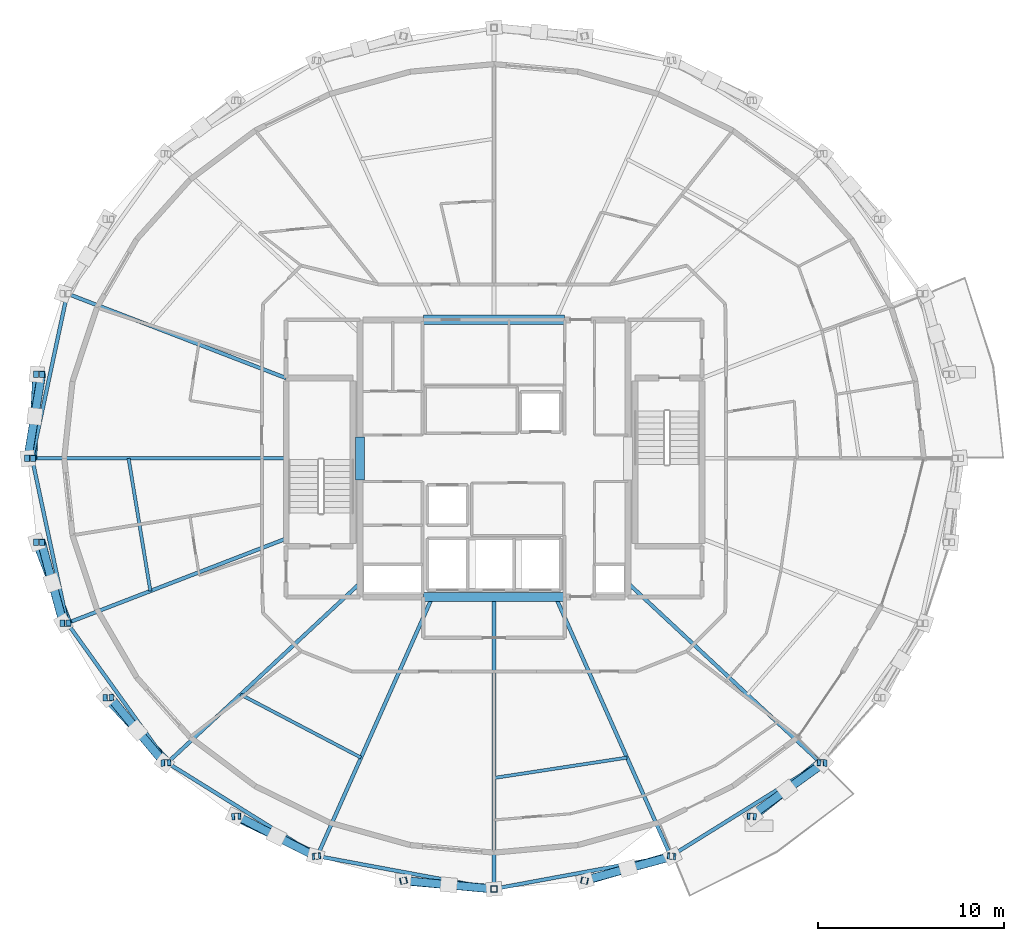
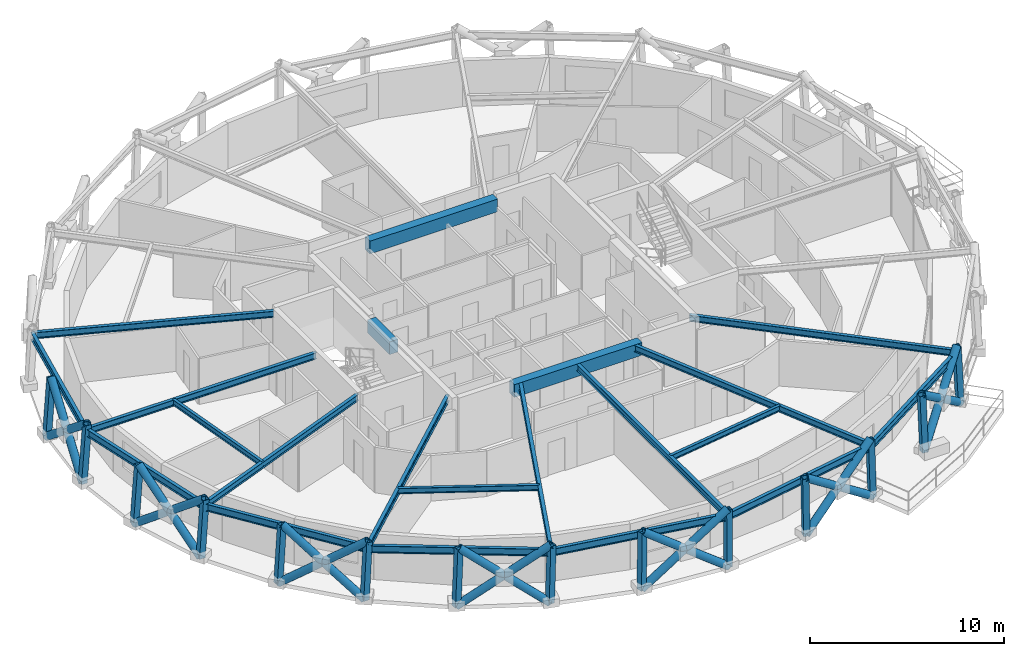
# One storey, part 1 of 12: 35 members, 21 beams.
"""IFC4 building model written with IfcOpenShell, lengths in metres."""

from ifc_helpers import new_model, si_unit, direction, frame, origin, origin_2d, place, context, subcontext, project, spatial, rectangle, hollow_rectangle, hollow_circle, i_section, extrude, material, material_profile, profile_set, type_object, element, save


model = new_model("IFC4")

# Units and contexts
model_context = context("Model", 3, precision=1e-05, world=origin(), true_north=direction((0.0, 1.0)))
body_context = subcontext(model_context, "Body", "Model", "MODEL_VIEW")
ifc_project = project(units=[si_unit("LENGTHUNIT", "METRE"), si_unit("AREAUNIT", "SQUARE_METRE"), si_unit("VOLUMEUNIT", "CUBIC_METRE"), si_unit("PLANEANGLEUNIT", "RADIAN"), si_unit("MASSUNIT", "GRAM", prefix="KILO")], contexts=[model_context])

# Site, building, storey
site_placement = place(None, origin())
site = spatial("IfcSite", under=ifc_project, at=site_placement, CompositionType="ELEMENT")
building_placement = place(site_placement, origin())
building = spatial("IfcBuilding", under=site, at=building_placement, Name="Veldorina Hangang Commons", CompositionType="ELEMENT")
storey_placement = place(building_placement, frame((0.0, 0.0, 222.0)))
storey = spatial("IfcBuildingStorey", under=building, at=storey_placement, Name="L57", CompositionType="ELEMENT", Elevation=222.0)

# Beams
ifc_material_1 = material(Name="Concrete C50/60", Category="concrete")
ifc_material_profile_1 = material_profile(ifc_material_1, rectangle(XDim=0.5, YDim=0.800048828125, at=origin_2d()), Name="RC-CB-500x800")
ifc_profile_set_1 = profile_set([ifc_material_profile_1], Name="Concrete C50/60")
beam_type_1 = type_object("IfcBeamType", Name="BM-CB800", PredefinedType="LINTEL", material=ifc_profile_set_1)
beam_1_placement = place(storey_placement, frame((24.800048828125, 22.85009765625, 2.9599609375), z_axis=(0.0, 1.0, 0.0), x_axis=(-1.0, 0.0, 0.0)))
element("IfcBeam", 1, at=beam_1_placement, inside=storey, type_object=beam_type_1, Name="L57 W core coupling lintel beam", PredefinedType="LINTEL", context=body_context, shape_type="SweptSolid", body=[
    extrude(rectangle(XDim=0.5, YDim=0.800048828125, at=origin_2d()), origin(), (0.0, 0.0, 1.0), 2.2998046875),
])
for number, where, z_axis, x_axis, name in (
    (2, (28.199951171875, 16.550048828125, 2.9599609375), (1.0, 0.0, 0.0), (0.0, 1.0, 0.0), "L57 south core coupling beam"),
    (3, (28.199951171875, 31.449951171875, 2.9599609375), (1.0, 0.0, 0.0), (0.0, 1.0, 0.0), "L57 north core coupling beam"),
):
    element("IfcBeam", number, at=place(storey_placement, frame(where, z_axis=z_axis, x_axis=x_axis)), inside=storey, type_object=beam_type_1, Name=name, PredefinedType="LINTEL", context=body_context, shape_type="SweptSolid", body=[
        extrude(rectangle(XDim=0.5, YDim=0.800048828125, at=origin_2d()), origin(), (0.0, 0.0, 1.0), 7.60009765625),
    ])
ifc_material_2 = material(Name="Steel SM355-TMC", Category="steel")
ifc_material_profile_2 = material_profile(ifc_material_2, i_section(OverallWidth=0.199951171875, OverallDepth=0.39990234375, WebThickness=0.008056640625, FlangeThickness=0.012939453125, FilletRadius=0.012939453125, at=origin_2d()), Name="H-400x200x8x13")
ifc_profile_set_2 = profile_set([ifc_material_profile_2], Name="Steel SM355-TMC")
beam_type_2 = type_object("IfcBeamType", Name="BM-FG400", PredefinedType="BEAM", material=ifc_profile_set_2)
beam_2_placement = place(storey_placement, frame((20.820068359375, 28.315673828125, 3.159912109375), z_axis=(-0.932913317312, 0.360101016913, 0.0), x_axis=(-0.360101016913, -0.932913317312, 0.0)))
element("IfcBeam", 4, at=beam_2_placement, inside=storey, type_object=beam_type_2, Name="L57 radial floor girder 08", PredefinedType="BEAM", context=body_context, shape_type="SweptSolid", body=[
    extrude(i_section(OverallWidth=0.199951171875, OverallDepth=0.39990234375, WebThickness=0.008056640625, FlangeThickness=0.012939453125, FilletRadius=0.012939453125, at=origin_2d()), origin(), (0.0, 0.0, 1.0), 12.6103515625),
])
beam_3_placement = place(storey_placement, frame((20.820068359375, 24.0, 3.159912109375), z_axis=(-1.0, 0.0, 0.0), x_axis=(0.0, -1.0, 0.0)))
element("IfcBeam", 5, at=beam_3_placement, inside=storey, type_object=beam_type_2, Name="L57 radial floor girder 09", PredefinedType="BEAM", context=body_context, shape_type="SweptSolid", body=[
    extrude(i_section(OverallWidth=0.199951171875, OverallDepth=0.39990234375, WebThickness=0.008056640625, FlangeThickness=0.012939453125, FilletRadius=0.012939453125, at=origin_2d()), origin(), (0.0, 0.0, 1.0), 13.65478515625),
])
beam_4_placement = place(storey_placement, frame((20.820068359375, 19.684326171875, 3.159912109375), z_axis=(-0.932913317312, -0.360101016913, 0.0), x_axis=(0.360101016913, -0.932913317312, 0.0)))
element("IfcBeam", 6, at=beam_4_placement, inside=storey, type_object=beam_type_2, Name="L57 radial floor girder 10", PredefinedType="BEAM", context=body_context, shape_type="SweptSolid", body=[
    extrude(i_section(OverallWidth=0.199951171875, OverallDepth=0.39990234375, WebThickness=0.008056640625, FlangeThickness=0.012939453125, FilletRadius=0.012939453125, at=origin_2d()), origin(), (0.0, 0.0, 1.0), 12.6103515625),
])
beam_5_placement = place(storey_placement, frame((24.800048828125, 17.290283203125, 3.159912109375), z_axis=(-0.731569268762, -0.681767119333, 0.0), x_axis=(0.681767119333, -0.731569268762, 0.0)))
element("IfcBeam", 7, at=beam_5_placement, inside=storey, type_object=beam_type_2, Name="L57 radial floor girder 11", PredefinedType="BEAM", context=body_context, shape_type="SweptSolid", body=[
    extrude(i_section(OverallWidth=0.199951171875, OverallDepth=0.39990234375, WebThickness=0.008056640625, FlangeThickness=0.012939453125, FilletRadius=0.012939453125, at=origin_2d()), origin(), (0.0, 0.0, 1.0), 14.16259765625),
])
beam_6_placement = place(storey_placement, frame((28.688720703125, 16.550048828125, 3.159912109375), z_axis=(-0.406169666398, -0.913797681162, 0.0), x_axis=(0.913797681162, -0.406169666398, 0.0)))
element("IfcBeam", 8, at=beam_6_placement, inside=storey, type_object=beam_type_2, Name="L57 radial floor girder 12", PredefinedType="BEAM", context=body_context, shape_type="SweptSolid", body=[
    extrude(i_section(OverallWidth=0.199951171875, OverallDepth=0.39990234375, WebThickness=0.008056640625, FlangeThickness=0.012939453125, FilletRadius=0.012939453125, at=origin_2d()), origin(), (0.0, 0.0, 1.0), 15.246337890625),
])
beam_7_placement = place(storey_placement, frame((32.0, 16.550048828125, 3.159912109375), z_axis=(0.0, -1.0, 0.0), x_axis=(1.0, 0.0, 0.0)))
element("IfcBeam", 9, at=beam_7_placement, inside=storey, type_object=beam_type_2, Name="L57 radial floor girder 13", PredefinedType="BEAM", context=body_context, shape_type="SweptSolid", body=[
    extrude(i_section(OverallWidth=0.199951171875, OverallDepth=0.39990234375, WebThickness=0.008056640625, FlangeThickness=0.012939453125, FilletRadius=0.012939453125, at=origin_2d()), origin(), (0.0, 0.0, 1.0), 15.694091796875),
])
beam_8_placement = place(storey_placement, frame((35.311279296875, 16.550048828125, 3.159912109375), z_axis=(0.406169666398, -0.913797681162, 0.0), x_axis=(0.913797681162, 0.406169666398, 0.0)))
element("IfcBeam", 10, at=beam_8_placement, inside=storey, type_object=beam_type_2, Name="L57 radial floor girder 14", PredefinedType="BEAM", context=body_context, shape_type="SweptSolid", body=[
    extrude(i_section(OverallWidth=0.199951171875, OverallDepth=0.39990234375, WebThickness=0.008056640625, FlangeThickness=0.012939453125, FilletRadius=0.012939453125, at=origin_2d()), origin(), (0.0, 0.0, 1.0), 15.246337890625),
])
beam_9_placement = place(storey_placement, frame((39.199951171875, 17.290283203125, 3.159912109375), z_axis=(0.731569268762, -0.681767119333, 0.0), x_axis=(0.681767119333, 0.731569268762, 0.0)))
element("IfcBeam", 11, at=beam_9_placement, inside=storey, type_object=beam_type_2, Name="L57 radial floor girder 15", PredefinedType="BEAM", context=body_context, shape_type="SweptSolid", body=[
    extrude(i_section(OverallWidth=0.199951171875, OverallDepth=0.39990234375, WebThickness=0.008056640625, FlangeThickness=0.012939453125, FilletRadius=0.012939453125, at=origin_2d()), origin(), (0.0, 0.0, 1.0), 14.16259765625),
])
ifc_material_profile_3 = material_profile(ifc_material_2, i_section(OverallWidth=0.175048828125, OverallDepth=0.35009765625, WebThickness=0.007080078125, FlangeThickness=0.010986328125, FilletRadius=0.012939453125, at=origin_2d()), Name="H-350x175x7x11")
ifc_profile_set_3 = profile_set([ifc_material_profile_3], Name="Steel SM355-TMC")
beam_type_3 = type_object("IfcBeamType", Name="BM-JST350", PredefinedType="JOIST", material=ifc_profile_set_3)
beam_10_placement = place(storey_placement, frame((12.35400390625, 24.0, 3.18505859375), z_axis=(0.162190829248, -0.986759410853, 0.0), x_axis=(0.986759410853, 0.162190829248, 0.0)))
element("IfcBeam", 12, at=beam_10_placement, inside=storey, type_object=beam_type_3, Name="L57 secondary floor joist 09", PredefinedType="JOIST", context=body_context, shape_type="SweptSolid", body=[
    extrude(i_section(OverallWidth=0.175048828125, OverallDepth=0.35009765625, WebThickness=0.007080078125, FlangeThickness=0.010986328125, FilletRadius=0.012939453125, at=origin_2d()), origin(), (0.0, 0.0, 1.0), 7.226806640625),
])
beam_11_placement = place(storey_placement, frame((18.376220703125, 11.303955078125, 3.18505859375), z_axis=(0.885759595301, -0.464144308736, 0.0), x_axis=(0.464144308736, 0.885759595301, 0.0)))
element("IfcBeam", 13, at=beam_11_placement, inside=storey, type_object=beam_type_3, Name="L57 secondary floor joist 11", PredefinedType="JOIST", context=body_context, shape_type="SweptSolid", body=[
    extrude(i_section(OverallWidth=0.175048828125, OverallDepth=0.35009765625, WebThickness=0.007080078125, FlangeThickness=0.010986328125, FilletRadius=0.012939453125, at=origin_2d()), origin(), (0.0, 0.0, 1.0), 7.307861328125),
])
beam_12_placement = place(storey_placement, frame((32.0, 6.819580078125, 3.18505859375), z_axis=(0.988529182855, 0.151029979286, 0.0), x_axis=(-0.151029979286, 0.988529182855, 0.0)))
element("IfcBeam", 14, at=beam_12_placement, inside=storey, type_object=beam_type_3, Name="L57 secondary floor joist 13", PredefinedType="JOIST", context=body_context, shape_type="SweptSolid", body=[
    extrude(i_section(OverallWidth=0.175048828125, OverallDepth=0.35009765625, WebThickness=0.007080078125, FlangeThickness=0.010986328125, FilletRadius=0.012939453125, at=origin_2d()), origin(), (0.0, 0.0, 1.0), 7.23388671875),
])
ifc_material_profile_4 = material_profile(ifc_material_2, i_section(OverallWidth=0.199951171875, OverallDepth=0.449951171875, WebThickness=0.009033203125, FlangeThickness=0.013916015625, FilletRadius=0.01611328125, at=origin_2d()), Name="H-450x200x9x14")
ifc_profile_set_4 = profile_set([ifc_material_profile_4], Name="Steel SM355-TMC")
beam_type_4 = type_object("IfcBeamType", Name="BM-RB450", PredefinedType="BEAM", material=ifc_profile_set_4)
for number, where, z_axis, x_axis, name in (
    (15, (9.0556640625, 32.856689453125, 3.135009765625), (-0.208739203826, -0.977971341495, 0.0), (0.977971341495, -0.208739203826, 0.0), "L57 perimeter hoop ring beam 14"),
    (16, (7.165283203125, 24.0, 3.135009765625), (0.208739203826, -0.977971341495, 0.0), (0.977971341495, 0.208739203826, 0.0), "L57 perimeter hoop ring beam 16"),
):
    element("IfcBeam", number, at=place(storey_placement, frame(where, z_axis=z_axis, x_axis=x_axis)), inside=storey, type_object=beam_type_4, Name=name, PredefinedType="BEAM", context=body_context, shape_type="SweptSolid", body=[
        extrude(i_section(OverallWidth=0.199951171875, OverallDepth=0.449951171875, WebThickness=0.009033203125, FlangeThickness=0.013916015625, FilletRadius=0.01611328125, at=origin_2d()), origin(), (0.0, 0.0, 1.0), 9.05615234375),
    ])
beam_13_placement = place(storey_placement, frame((9.0556640625, 15.143310546875, 3.135009765625), z_axis=(0.582692054183, -0.812693035526, 0.0), x_axis=(0.812693035526, 0.582692054183, 0.0)))
element("IfcBeam", 17, at=beam_13_placement, inside=storey, type_object=beam_type_4, Name="L57 perimeter hoop ring beam 18", PredefinedType="BEAM", context=body_context, shape_type="SweptSolid", body=[
    extrude(i_section(OverallWidth=0.199951171875, OverallDepth=0.449951171875, WebThickness=0.009033203125, FlangeThickness=0.013916015625, FilletRadius=0.01611328125, at=origin_2d()), origin(), (0.0, 0.0, 1.0), 9.239013671875),
])
beam_14_placement = place(storey_placement, frame((14.439208984375, 7.634765625, 3.135009765625), z_axis=(0.848882971547, -0.528580836408, 0.0), x_axis=(0.528580836408, 0.848882971547, 0.0)))
element("IfcBeam", 18, at=beam_14_placement, inside=storey, type_object=beam_type_4, Name="L57 perimeter hoop ring beam 20", PredefinedType="BEAM", context=body_context, shape_type="SweptSolid", body=[
    extrude(i_section(OverallWidth=0.199951171875, OverallDepth=0.449951171875, WebThickness=0.009033203125, FlangeThickness=0.013916015625, FilletRadius=0.01611328125, at=origin_2d()), origin(), (0.0, 0.0, 1.0), 9.4912109375),
])
for number, where, z_axis, x_axis, name in (
    (19, (22.49609375, 2.617919921875, 3.135009765625), (0.983245303916, -0.182287334524, 0.0), (0.182287334524, 0.983245303916, 0.0), "L57 perimeter hoop ring beam 22"),
    (20, (32.0, 0.85595703125, 3.135009765625), (0.983245303916, 0.182287334524, 0.0), (-0.182287334524, 0.983245303916, 0.0), "L57 perimeter hoop ring beam 24"),
):
    element("IfcBeam", number, at=place(storey_placement, frame(where, z_axis=z_axis, x_axis=x_axis)), inside=storey, type_object=beam_type_4, Name=name, PredefinedType="BEAM", context=body_context, shape_type="SweptSolid", body=[
        extrude(i_section(OverallWidth=0.199951171875, OverallDepth=0.449951171875, WebThickness=0.009033203125, FlangeThickness=0.013916015625, FilletRadius=0.01611328125, at=origin_2d()), origin(), (0.0, 0.0, 1.0), 9.665771484375),
    ])
beam_15_placement = place(storey_placement, frame((41.50390625, 2.617919921875, 3.135009765625), z_axis=(0.848882971547, 0.528580836408, 0.0), x_axis=(-0.528580836408, 0.848882971547, 0.0)))
element("IfcBeam", 21, at=beam_15_placement, inside=storey, type_object=beam_type_4, Name="L57 perimeter hoop ring beam 26", PredefinedType="BEAM", context=body_context, shape_type="SweptSolid", body=[
    extrude(i_section(OverallWidth=0.199951171875, OverallDepth=0.449951171875, WebThickness=0.009033203125, FlangeThickness=0.013916015625, FilletRadius=0.01611328125, at=origin_2d()), origin(), (0.0, 0.0, 1.0), 9.4912109375),
])

# Members
ifc_material_profile_5 = material_profile(ifc_material_2, hollow_circle(Radius=0.22509765625, WallThickness=0.02197265625, at=origin_2d()), Name="CHS-450x22")
ifc_profile_set_5 = profile_set([ifc_material_profile_5], Name="Steel SM355-TMC")
member_type_1 = type_object("IfcMemberType", Name="DG-CHS450", PredefinedType="BRACE", material=ifc_profile_set_5)
member_1_placement = place(storey_placement, frame((7.416015625, 28.51708984375, 0.0), z_axis=(-0.037464021372, -0.781464851659, 0.622823516515), x_axis=(0.998852818675, -0.047885766413, 0.0)))
element("IfcMember", 22, at=member_1_placement, inside=storey, type_object=member_type_1, Name="L57 continuous perimeter diagrid brace 15", PredefinedType="BRACE", context=body_context, shape_type="SweptSolid", body=[
    extrude(hollow_circle(Radius=0.22509765625, WallThickness=0.02197265625, at=origin_2d()), origin(), (0.0, 0.0, 1.0), 5.7802734375),
])
member_2_placement = place(storey_placement, frame((6.9345703125, 24.0, 0.0), z_axis=(0.128113773437, 0.775390168024, 0.618350182653), x_axis=(-0.986623623305, 0.163014802813, 0.0)))
element("IfcMember", 23, at=member_2_placement, inside=storey, type_object=member_type_1, Name="L57 split perimeter diagrid lower brace 16", PredefinedType="BRACE", context=body_context, shape_type="SweptSolid", body=[
    extrude(hollow_circle(Radius=0.22509765625, WallThickness=0.02197265625, at=origin_2d()), origin(), (0.0, 0.0, 1.0), 2.911865234375),
])
member_3_placement = place(storey_placement, frame((7.3076171875, 26.2578125, 1.800537109375), z_axis=(0.126514817528, 0.775616371384, 0.618395702917), x_axis=(-0.986956430104, 0.160987592926, 0.0)))
element("IfcMember", 24, at=member_3_placement, inside=storey, type_object=member_type_1, Name="L57 split perimeter diagrid upper brace 16", PredefinedType="BRACE", context=body_context, shape_type="SweptSolid", body=[
    extrude(hollow_circle(Radius=0.22509765625, WallThickness=0.02197265625, at=origin_2d()), origin(), (0.0, 0.0, 1.0), 2.91015625),
])
member_4_placement = place(storey_placement, frame((7.416015625, 19.48291015625, 0.0), z_axis=(0.284179534139, -0.737870395946, 0.612200352142), x_axis=(0.933183122063, 0.359401253054, 0.0)))
element("IfcMember", 25, at=member_4_placement, inside=storey, type_object=member_type_1, Name="L57 continuous perimeter diagrid brace 17", PredefinedType="BRACE", context=body_context, shape_type="SweptSolid", body=[
    extrude(hollow_circle(Radius=0.22509765625, WallThickness=0.02197265625, at=origin_2d()), origin(), (0.0, 0.0, 1.0), 5.880615234375),
])
member_5_placement = place(storey_placement, frame((8.842529296875, 15.13916015625, 0.0), z_axis=(-0.204732595264, 0.753480299938, 0.624781563462), x_axis=(-0.965011138187, -0.26220889225, 0.0)))
element("IfcMember", 26, at=member_5_placement, inside=storey, type_object=member_type_1, Name="L57 split perimeter diagrid lower brace 18", PredefinedType="BRACE", context=body_context, shape_type="SweptSolid", body=[
    extrude(hollow_circle(Radius=0.22509765625, WallThickness=0.02197265625, at=origin_2d()), origin(), (0.0, 0.0, 1.0), 2.883544921875),
])
member_6_placement = place(storey_placement, frame((8.252197265625, 17.311767578125, 1.801513671875), z_axis=(-0.200190725087, 0.754806367947, 0.624652719913), x_axis=(-0.966581876666, -0.256358100518, 0.0)))
element("IfcMember", 27, at=member_6_placement, inside=storey, type_object=member_type_1, Name="L57 split perimeter diagrid upper brace 18", PredefinedType="BRACE", context=body_context, shape_type="SweptSolid", body=[
    extrude(hollow_circle(Radius=0.22509765625, WallThickness=0.02197265625, at=origin_2d()), origin(), (0.0, 0.0, 1.0), 2.87939453125),
])
member_7_placement = place(storey_placement, frame((11.15869140625, 11.135986328125, 0.0), z_axis=(0.549776819627, -0.582269539463, 0.598922058379), x_axis=(0.727103165774, 0.686528212327, 0.0)))
element("IfcMember", 28, at=member_7_placement, inside=storey, type_object=member_type_1, Name="L57 continuous perimeter diagrid brace 19", PredefinedType="BRACE", context=body_context, shape_type="SweptSolid", body=[
    extrude(hollow_circle(Radius=0.22509765625, WallThickness=0.02197265625, at=origin_2d()), origin(), (0.0, 0.0, 1.0), 6.010986328125),
])
member_8_placement = place(storey_placement, frame((14.27587890625, 7.627197265625, 0.0), z_axis=(-0.50197304647, 0.602904615065, 0.620104092673), x_axis=(-0.768501715481, -0.639847726652, 0.0)))
element("IfcMember", 29, at=member_8_placement, inside=storey, type_object=member_type_1, Name="L57 split perimeter diagrid lower brace 20", PredefinedType="BRACE", context=body_context, shape_type="SweptSolid", body=[
    extrude(hollow_circle(Radius=0.22509765625, WallThickness=0.02197265625, at=origin_2d()), origin(), (0.0, 0.0, 1.0), 2.909912109375),
])
member_9_placement = place(storey_placement, frame((12.815185546875, 9.381591796875, 1.804443359375), z_axis=(-0.495818596815, 0.608098496671, 0.619983981566), x_axis=(-0.775028401673, -0.631926401253, 0.0)))
element("IfcMember", 30, at=member_9_placement, inside=storey, type_object=member_type_1, Name="L57 split perimeter diagrid upper brace 20", PredefinedType="BRACE", context=body_context, shape_type="SweptSolid", body=[
    extrude(hollow_circle(Radius=0.22509765625, WallThickness=0.02197265625, at=origin_2d()), origin(), (0.0, 0.0, 1.0), 2.896240234375),
])
member_10_placement = place(storey_placement, frame((18.074462890625, 4.747802734375, 0.0), z_axis=(0.727512756013, -0.349198112837, 0.590580957896), x_axis=(0.43272300029, 0.901526929725, 0.0)))
element("IfcMember", 31, at=member_10_placement, inside=storey, type_object=member_type_1, Name="L57 continuous perimeter diagrid brace 21", PredefinedType="BRACE", context=body_context, shape_type="SweptSolid", body=[
    extrude(hollow_circle(Radius=0.22509765625, WallThickness=0.02197265625, at=origin_2d()), origin(), (0.0, 0.0, 1.0), 6.095947265625),
])
member_11_placement = place(storey_placement, frame((22.40771484375, 2.60791015625, 0.0), z_axis=(-0.70800468971, 0.35999264879, 0.607564525105), x_axis=(-0.453236936899, -0.891390082417, 0.0)))
element("IfcMember", 32, at=member_11_placement, inside=storey, type_object=member_type_1, Name="L57 split perimeter diagrid lower brace 22", PredefinedType="BRACE", context=body_context, shape_type="SweptSolid", body=[
    extrude(hollow_circle(Radius=0.22509765625, WallThickness=0.02197265625, at=origin_2d()), origin(), (0.0, 0.0, 1.0), 2.97509765625),
])
member_12_placement = place(storey_placement, frame((20.30126953125, 3.678955078125, 1.8076171875), z_axis=(-0.705023245113, 0.365711670402, 0.607615995495), x_axis=(-0.460460109718, -0.887680397079, 0.0)))
element("IfcMember", 33, at=member_12_placement, inside=storey, type_object=member_type_1, Name="L57 split perimeter diagrid upper brace 22", PredefinedType="BRACE", context=body_context, shape_type="SweptSolid", body=[
    extrude(hollow_circle(Radius=0.22509765625, WallThickness=0.02197265625, at=origin_2d()), origin(), (0.0, 0.0, 1.0), 2.949951171875),
])
member_13_placement = place(storey_placement, frame((27.110107421875, 1.290283203125, 0.0), z_axis=(0.803254184671, -0.071065276111, 0.591381806738), x_axis=(0.088127490574, 0.996109203554, 0.0)))
element("IfcMember", 34, at=member_13_placement, inside=storey, type_object=member_type_1, Name="L57 continuous perimeter diagrid brace 23", PredefinedType="BRACE", context=body_context, shape_type="SweptSolid", body=[
    extrude(hollow_circle(Radius=0.22509765625, WallThickness=0.02197265625, at=origin_2d()), origin(), (0.0, 0.0, 1.0), 6.087646484375),
])
member_14_placement = place(storey_placement, frame((32.0, 0.845458984375, 0.0), z_axis=(-0.800043712418, 0.074848498291, 0.595254366236), x_axis=(-0.093148750615, -0.995652203462, 0.0)))
element("IfcMember", 35, at=member_14_placement, inside=storey, type_object=member_type_1, Name="L57 split perimeter diagrid lower brace 24", PredefinedType="BRACE", context=body_context, shape_type="SweptSolid", body=[
    extrude(hollow_circle(Radius=0.22509765625, WallThickness=0.02197265625, at=origin_2d()), origin(), (0.0, 0.0, 1.0), 3.0400390625),
])
member_15_placement = place(storey_placement, frame((29.56787109375, 1.072998046875, 1.8095703125), z_axis=(-0.799927239962, 0.076210600479, 0.595238065938), x_axis=(-0.094842457836, -0.995492294391, 0.0)))
element("IfcMember", 36, at=member_15_placement, inside=storey, type_object=member_type_1, Name="L57 split perimeter diagrid upper brace 24", PredefinedType="BRACE", context=body_context, shape_type="SweptSolid", body=[
    extrude(hollow_circle(Radius=0.22509765625, WallThickness=0.02197265625, at=origin_2d()), origin(), (0.0, 0.0, 1.0), 3.008056640625),
])
member_16_placement = place(storey_placement, frame((36.889892578125, 1.290283203125, 0.0), z_axis=(0.767934252385, 0.221802395104, 0.600899893111), x_axis=(-0.27748737058, 0.960729285058, 0.0)))
element("IfcMember", 37, at=member_16_placement, inside=storey, type_object=member_type_1, Name="L57 continuous perimeter diagrid brace 25", PredefinedType="BRACE", context=body_context, shape_type="SweptSolid", body=[
    extrude(hollow_circle(Radius=0.22509765625, WallThickness=0.02197265625, at=origin_2d()), origin(), (0.0, 0.0, 1.0), 5.9912109375),
])
member_17_placement = place(storey_placement, frame((41.59228515625, 2.60791015625, 0.0), z_axis=(-0.779316917147, -0.211882507757, 0.589721074369), x_axis=(0.262358436351, -0.96497049223, 0.0)))
element("IfcMember", 38, at=member_17_placement, inside=storey, type_object=member_type_1, Name="L57 split perimeter diagrid lower brace 26", PredefinedType="BRACE", context=body_context, shape_type="SweptSolid", body=[
    extrude(hollow_circle(Radius=0.22509765625, WallThickness=0.02197265625, at=origin_2d()), origin(), (0.0, 0.0, 1.0), 3.0673828125),
])
member_18_placement = place(storey_placement, frame((39.201904296875, 1.9580078125, 1.808837890625), z_axis=(-0.778179415728, -0.215906405397, 0.589763699328), x_axis=(0.267351235409, -0.963599147429, 0.0)))
element("IfcMember", 39, at=member_18_placement, inside=storey, type_object=member_type_1, Name="L57 split perimeter diagrid upper brace 26", PredefinedType="BRACE", context=body_context, shape_type="SweptSolid", body=[
    extrude(hollow_circle(Radius=0.22509765625, WallThickness=0.02197265625, at=origin_2d()), origin(), (0.0, 0.0, 1.0), 3.037353515625),
])
member_19_placement = place(storey_placement, frame((45.925537109375, 4.747802734375, 0.0), z_axis=(0.616202293326, 0.492845184913, 0.614327565235), x_axis=(-0.624604899807, 0.780940919108, 0.0)))
element("IfcMember", 40, at=member_19_placement, inside=storey, type_object=member_type_1, Name="L57 continuous perimeter diagrid brace 27", PredefinedType="BRACE", context=body_context, shape_type="SweptSolid", body=[
    extrude(hollow_circle(Radius=0.22509765625, WallThickness=0.02197265625, at=origin_2d()), origin(), (0.0, 0.0, 1.0), 5.860107421875),
])
member_20_placement = place(storey_placement, frame((49.72412109375, 7.627197265625, 0.0), z_axis=(-0.653059080121, -0.470173648369, 0.593675482272), x_axis=(0.584281081941, -0.811551364539, 0.0)))
element("IfcMember", 41, at=member_20_placement, inside=storey, type_object=member_type_1, Name="L57 split perimeter diagrid lower brace 28", PredefinedType="BRACE", context=body_context, shape_type="SweptSolid", body=[
    extrude(hollow_circle(Radius=0.22509765625, WallThickness=0.02197265625, at=origin_2d()), origin(), (0.0, 0.0, 1.0), 3.042236328125),
])
member_21_placement = place(storey_placement, frame((47.7373046875, 6.19677734375, 1.80615234375), z_axis=(-0.648407402536, -0.476344662912, 0.593854866488), x_axis=(0.592047143833, -0.805903331349, 0.0)))
element("IfcMember", 42, at=member_21_placement, inside=storey, type_object=member_type_1, Name="L57 split perimeter diagrid upper brace 28", PredefinedType="BRACE", context=body_context, shape_type="SweptSolid", body=[
    extrude(hollow_circle(Radius=0.22509765625, WallThickness=0.02197265625, at=origin_2d()), origin(), (0.0, 0.0, 1.0), 3.020751953125),
])
ifc_material_profile_6 = material_profile(ifc_material_2, hollow_rectangle(XDim=0.35009765625, YDim=0.35009765625, WallThickness=0.01611328125, at=origin_2d()), Name="SHS-350x350x16")
ifc_profile_set_6 = profile_set([ifc_material_profile_6], Name="Steel SM355-TMC")
member_type_2 = type_object("IfcMemberType", Name="STR-SHS350", PredefinedType="STRUT", material=ifc_profile_set_6)
member_22_placement = place(storey_placement, frame((7.416015625, 28.51708984375, 0.0), z_axis=(0.071968044533, -0.000608752256, 0.997406752527), x_axis=(0.00845834403, 0.999964227568, 0.0)))
element("IfcMember", 43, at=member_22_placement, inside=storey, type_object=member_type_2, Name="L57 perimeter ring node post 15", PredefinedType="STRUT", context=body_context, shape_type="SweptSolid", body=[
    extrude(hollow_rectangle(XDim=0.35009765625, YDim=0.35009765625, WallThickness=0.01611328125, at=origin_2d()), origin(), (0.0, 0.0, 1.0), 3.609375),
])
member_23_placement = place(storey_placement, frame((6.9345703125, 24.0, 0.0), z_axis=(0.073380905062, 0.0, 0.997303987143), x_axis=(0.0, 1.0, 0.0)))
element("IfcMember", 44, at=member_23_placement, inside=storey, type_object=member_type_2, Name="L57 perimeter ring node post 16", PredefinedType="STRUT", context=body_context, shape_type="SweptSolid", body=[
    extrude(hollow_rectangle(XDim=0.35009765625, YDim=0.35009765625, WallThickness=0.01611328125, at=origin_2d()), origin(), (0.0, 0.0, 1.0), 3.60986328125),
])
member_24_placement = place(storey_placement, frame((7.416015625, 19.48291015625, 0.0), z_axis=(0.071968044533, 0.000608752256, 0.997406752527), x_axis=(-0.00845834403, 0.999964227568, 0.0)))
element("IfcMember", 45, at=member_24_placement, inside=storey, type_object=member_type_2, Name="L57 perimeter ring node post 17", PredefinedType="STRUT", context=body_context, shape_type="SweptSolid", body=[
    extrude(hollow_rectangle(XDim=0.35009765625, YDim=0.35009765625, WallThickness=0.01611328125, at=origin_2d()), origin(), (0.0, 0.0, 1.0), 3.609375),
])
member_25_placement = place(storey_placement, frame((8.842529296875, 15.13916015625, 0.0), z_axis=(0.067794242006, 0.001285519559, 0.997698495634), x_axis=(-0.018958667762, 0.999820268307, 0.0)))
element("IfcMember", 46, at=member_25_placement, inside=storey, type_object=member_type_2, Name="L57 perimeter ring node post 18", PredefinedType="STRUT", context=body_context, shape_type="SweptSolid", body=[
    extrude(hollow_rectangle(XDim=0.35009765625, YDim=0.35009765625, WallThickness=0.01611328125, at=origin_2d()), origin(), (0.0, 0.0, 1.0), 3.6083984375),
])
member_26_placement = place(storey_placement, frame((11.15869140625, 11.135986328125, 0.0), z_axis=(0.061122339597, 0.001895266344, 0.998128482495), x_axis=(-0.030992856002, 0.999519606049, 0.0)))
element("IfcMember", 47, at=member_26_placement, inside=storey, type_object=member_type_2, Name="L57 perimeter ring node post 19", PredefinedType="STRUT", context=body_context, shape_type="SweptSolid", body=[
    extrude(hollow_rectangle(XDim=0.35009765625, YDim=0.35009765625, WallThickness=0.01611328125, at=origin_2d()), origin(), (0.0, 0.0, 1.0), 3.60693359375),
])
member_27_placement = place(storey_placement, frame((14.27587890625, 7.627197265625, 0.0), z_axis=(0.052011272529, 0.0024380284, 0.998643521757), x_axis=(-0.046823586299, 0.99890317437, 0.0)))
element("IfcMember", 48, at=member_27_placement, inside=storey, type_object=member_type_2, Name="L57 perimeter ring node post 20", PredefinedType="STRUT", context=body_context, shape_type="SweptSolid", body=[
    extrude(hollow_rectangle(XDim=0.35009765625, YDim=0.35009765625, WallThickness=0.01611328125, at=origin_2d()), origin(), (0.0, 0.0, 1.0), 3.60498046875),
])
member_28_placement = place(storey_placement, frame((18.074462890625, 4.747802734375, 0.0), z_axis=(0.040790495273, 0.00277809021, 0.999163859289), x_axis=(-0.067948905142, 0.997688802328, 0.0)))
element("IfcMember", 49, at=member_28_placement, inside=storey, type_object=member_type_2, Name="L57 perimeter ring node post 21", PredefinedType="STRUT", context=body_context, shape_type="SweptSolid", body=[
    extrude(hollow_rectangle(XDim=0.35009765625, YDim=0.35009765625, WallThickness=0.01611328125, at=origin_2d()), origin(), (0.0, 0.0, 1.0), 3.60302734375),
])
member_29_placement = place(storey_placement, frame((22.40771484375, 2.60791015625, 0.0), z_axis=(0.028199683821, 0.003118234269, 0.999597446199), x_axis=(-0.109907033867, 0.993941871493, 0.0)))
element("IfcMember", 50, at=member_29_placement, inside=storey, type_object=member_type_2, Name="L57 perimeter ring node post 22", PredefinedType="STRUT", context=body_context, shape_type="SweptSolid", body=[
    extrude(hollow_rectangle(XDim=0.35009765625, YDim=0.35009765625, WallThickness=0.01611328125, at=origin_2d()), origin(), (0.0, 0.0, 1.0), 3.6015625),
])
member_30_placement = place(storey_placement, frame((27.110107421875, 1.290283203125, 0.0), z_axis=(0.014307421539, 0.003322576566, 0.999892123268), x_axis=(-0.22620792836, 0.97407903845, 0.0)))
element("IfcMember", 51, at=member_30_placement, inside=storey, type_object=member_type_2, Name="L57 perimeter ring node post 23", PredefinedType="STRUT", context=body_context, shape_type="SweptSolid", body=[
    extrude(hollow_rectangle(XDim=0.35009765625, YDim=0.35009765625, WallThickness=0.01611328125, at=origin_2d()), origin(), (0.0, 0.0, 1.0), 3.6005859375),
])
member_31_placement = place(storey_placement, frame((32.0, 0.845458984375, 0.0), z_axis=(0.0, 0.003390730542, 0.999994251457), x_axis=(-1.0, 0.0, 0.0)))
element("IfcMember", 52, at=member_31_placement, inside=storey, type_object=member_type_2, Name="L57 perimeter ring node post 24", PredefinedType="STRUT", context=body_context, shape_type="SweptSolid", body=[
    extrude(hollow_rectangle(XDim=0.35009765625, YDim=0.35009765625, WallThickness=0.01611328125, at=origin_2d()), origin(), (0.0, 0.0, 1.0), 3.60009765625),
])
member_32_placement = place(storey_placement, frame((36.889892578125, 1.290283203125, 0.0), z_axis=(-0.014307421539, 0.003322576566, 0.999892123268), x_axis=(-0.22620792836, -0.97407903845, 0.0)))
element("IfcMember", 53, at=member_32_placement, inside=storey, type_object=member_type_2, Name="L57 perimeter ring node post 25", PredefinedType="STRUT", context=body_context, shape_type="SweptSolid", body=[
    extrude(hollow_rectangle(XDim=0.35009765625, YDim=0.35009765625, WallThickness=0.01611328125, at=origin_2d()), origin(), (0.0, 0.0, 1.0), 3.6005859375),
])
member_33_placement = place(storey_placement, frame((41.59228515625, 2.60791015625, 0.0), z_axis=(-0.028199683821, 0.003118234269, 0.999597446199), x_axis=(-0.109907033867, -0.993941871493, 0.0)))
element("IfcMember", 54, at=member_33_placement, inside=storey, type_object=member_type_2, Name="L57 perimeter ring node post 26", PredefinedType="STRUT", context=body_context, shape_type="SweptSolid", body=[
    extrude(hollow_rectangle(XDim=0.35009765625, YDim=0.35009765625, WallThickness=0.01611328125, at=origin_2d()), origin(), (0.0, 0.0, 1.0), 3.6015625),
])
member_34_placement = place(storey_placement, frame((45.925537109375, 4.747802734375, 0.0), z_axis=(-0.040790495273, 0.00277809021, 0.999163859289), x_axis=(-0.067948905142, -0.997688802328, 0.0)))
element("IfcMember", 55, at=member_34_placement, inside=storey, type_object=member_type_2, Name="L57 perimeter ring node post 27", PredefinedType="STRUT", context=body_context, shape_type="SweptSolid", body=[
    extrude(hollow_rectangle(XDim=0.35009765625, YDim=0.35009765625, WallThickness=0.01611328125, at=origin_2d()), origin(), (0.0, 0.0, 1.0), 3.60302734375),
])
member_35_placement = place(storey_placement, frame((49.72412109375, 7.627197265625, 0.0), z_axis=(-0.052011272529, 0.0024380284, 0.998643521757), x_axis=(-0.046823586299, -0.99890317437, 0.0)))
element("IfcMember", 56, at=member_35_placement, inside=storey, type_object=member_type_2, Name="L57 perimeter ring node post 28", PredefinedType="STRUT", context=body_context, shape_type="SweptSolid", body=[
    extrude(hollow_rectangle(XDim=0.35009765625, YDim=0.35009765625, WallThickness=0.01611328125, at=origin_2d()), origin(), (0.0, 0.0, 1.0), 3.60498046875),
])

save(model, "model.ifc")
